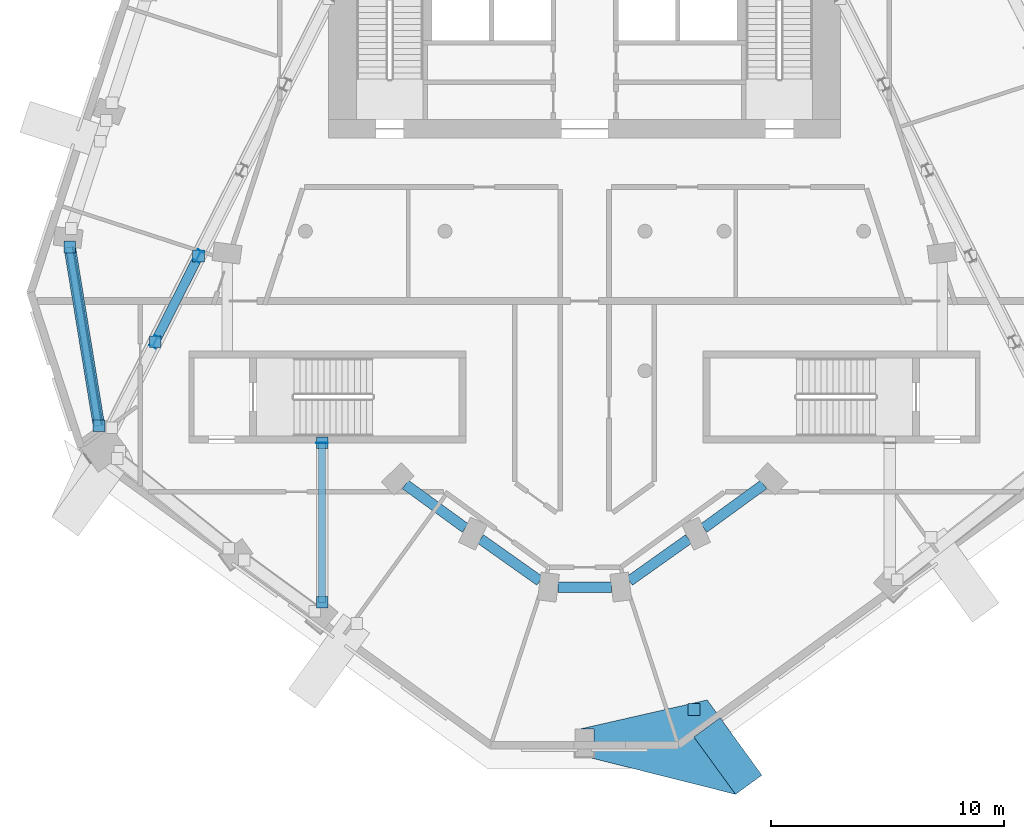
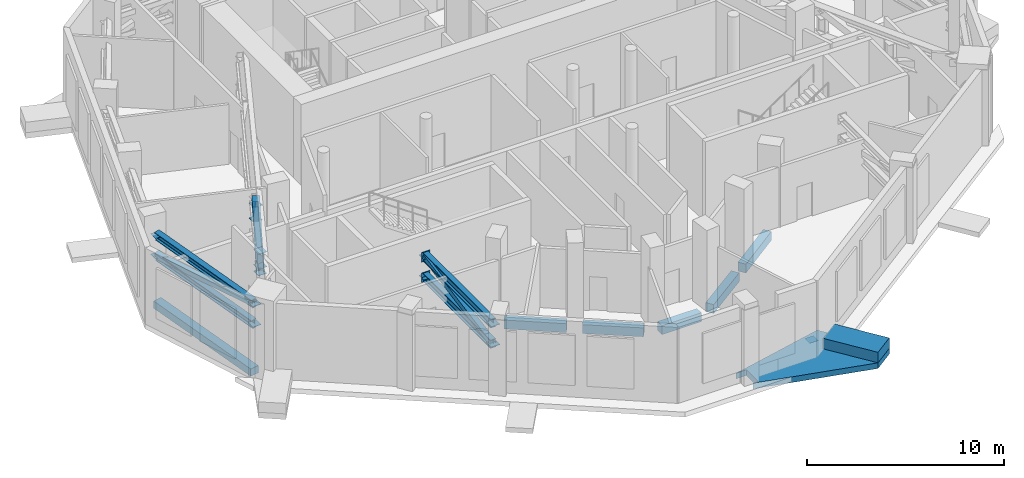
# One storey, part 2 of 16: 16 discrete accessories, 11 members, 6 beams.
"""IFC4 building model written with IfcOpenShell, lengths in metres."""

from ifc_helpers import new_model, si_unit, direction, frame, origin, origin_2d, place, context, subcontext, project, spatial, polyline, rectangle, hollow_rectangle, i_section, outline, extrude, material, layer, layer_set, material_profile, profile_set, type_object, element, aggregate, save


model = new_model("IFC4")

# Units and contexts
model_context = context("Model", 3, precision=1e-05, world=origin(), true_north=direction((0.0, 1.0)))
body_context = subcontext(model_context, "Body", "Model", "MODEL_VIEW")
ifc_project = project(units=[si_unit("LENGTHUNIT", "METRE"), si_unit("AREAUNIT", "SQUARE_METRE"), si_unit("VOLUMEUNIT", "CUBIC_METRE"), si_unit("PLANEANGLEUNIT", "RADIAN"), si_unit("MASSUNIT", "GRAM", prefix="KILO")], contexts=[model_context])

# Site, building, storey
site_placement = place(None, origin())
site = spatial("IfcSite", under=ifc_project, at=site_placement, CompositionType="ELEMENT")
building_placement = place(site_placement, origin())
building = spatial("IfcBuilding", under=site, at=building_placement, Name="White Candle Pilgrim Tower", CompositionType="ELEMENT")
storey_placement = place(building_placement, frame((0.0, 0.0, 243.300048828125)))
storey = spatial("IfcBuildingStorey", under=building, at=storey_placement, Name="L57", CompositionType="ELEMENT", Elevation=243.300048828125)

# Member
ifc_material_1 = material(Name="Steel S355", Category="steel")
ifc_material_profile_1 = material_profile(ifc_material_1, i_section(OverallWidth=0.305908203125, OverallDepth=0.52392578125, WebThickness=0.02099609375, FlangeThickness=0.0400390625, FilletRadius=0.027099609375, at=origin_2d()), Name="HEM 500")
ifc_profile_set_1 = profile_set([ifc_material_profile_1], Name="Steel S355")
member_type_1 = type_object("IfcMemberType", Name="Belt truss chord HEM 500 S355", PredefinedType="CHORD", material=ifc_profile_set_1)
member_1_placement = place(storey_placement, frame((58.719970703125, 51.046142578125, 2.411865234375), z_axis=(0.0, 1.0, 0.0), x_axis=(1.0, 0.0, 0.0)))
member_1 = element("IfcMember", 1, at=member_1_placement, inside=storey, type_object=member_type_1, Name="L57 belt truss bottom chord 03", PredefinedType="CHORD", context=body_context, shape_type="SweptSolid", body=[
    extrude(i_section(OverallWidth=0.305908203125, OverallDepth=0.52392578125, WebThickness=0.02099609375, FlangeThickness=0.0400390625, FilletRadius=0.027099609375, at=origin_2d()), origin(), (0.0, 0.0, 1.0), 6.853759765625),
])

member_2_placement = place(storey_placement, frame((58.719970703125, 51.046142578125, 3.677978515625), z_axis=(0.0, 1.0, 0.0), x_axis=(1.0, 0.0, 0.0)))
member_2 = element("IfcMember", 2, at=member_2_placement, inside=storey, type_object=member_type_1, Name="L57 belt truss top chord 03", PredefinedType="CHORD", context=body_context, shape_type="SweptSolid", body=[
    extrude(i_section(OverallWidth=0.305908203125, OverallDepth=0.52392578125, WebThickness=0.02099609375, FlangeThickness=0.0400390625, FilletRadius=0.027099609375, at=origin_2d()), origin(), (0.0, 0.0, 1.0), 6.853759765625),
])

member_3_placement = place(storey_placement, frame((47.8671875, 66.318603515625, 2.411865234375), z_axis=(0.161556298314, -0.986863497387, 0.0), x_axis=(0.973901320546, 0.159434301387, 0.161545415844)))
member_3 = element("IfcMember", 3, at=member_3_placement, inside=storey, type_object=member_type_1, Name="L57 belt truss bottom chord 15", PredefinedType="CHORD", context=body_context, shape_type="SweptSolid", body=[
    extrude(i_section(OverallWidth=0.305908203125, OverallDepth=0.52392578125, WebThickness=0.02099609375, FlangeThickness=0.0400390625, FilletRadius=0.027099609375, at=origin_2d()), origin(), (0.0, 0.0, 1.0), 7.787109375),
])

member_4_placement = place(storey_placement, frame((47.8671875, 66.318603515625, 3.677978515625), z_axis=(0.161556298314, -0.986863497387, 0.0), x_axis=(0.973901320546, 0.159434301387, 0.161545415844)))
member_4 = element("IfcMember", 4, at=member_4_placement, inside=storey, type_object=member_type_1, Name="L57 belt truss top chord 15", PredefinedType="CHORD", context=body_context, shape_type="SweptSolid", body=[
    extrude(i_section(OverallWidth=0.305908203125, OverallDepth=0.52392578125, WebThickness=0.02099609375, FlangeThickness=0.0400390625, FilletRadius=0.027099609375, at=origin_2d()), origin(), (0.0, 0.0, 1.0), 7.787109375),
])

# Members
ifc_material_profile_2 = material_profile(ifc_material_1, hollow_rectangle(XDim=0.300048828125, YDim=0.300048828125, WallThickness=0.01611328125, at=origin_2d()), Name="SHS 300x300x16")
ifc_profile_set_2 = profile_set([ifc_material_profile_2], Name="Steel S355")
member_type_2 = type_object("IfcMemberType", Name="Belt truss diagonal SHS 300x300x16 S355", PredefinedType="BRACE", material=ifc_profile_set_2)
member_5_placement = place(storey_placement, frame((58.719970703125, 51.046142578125, 2.411865234375), z_axis=(0.0, 0.983361584962, 0.181659002587), x_axis=(-1.0, 0.0, 0.0)))
element("IfcMember", 5, at=member_5_placement, inside=storey, type_object=member_type_2, Name="L57 belt truss diagonal 03", PredefinedType="BRACE", context=body_context, shape_type="SweptSolid", body=[
    extrude(hollow_rectangle(XDim=0.300048828125, YDim=0.300048828125, WallThickness=0.01611328125, at=origin_2d()), origin(), (0.0, 0.0, 1.0), 6.9697265625),
])
member_6_placement = place(storey_placement, frame((47.8671875, 66.318603515625, 2.411865234375), z_axis=(0.159462290291, -0.974072290219, 0.160483492616), x_axis=(0.986863497387, 0.161556298314, 0.0)))
element("IfcMember", 6, at=member_6_placement, inside=storey, type_object=member_type_2, Name="L57 belt truss diagonal 15", PredefinedType="BRACE", context=body_context, shape_type="SweptSolid", body=[
    extrude(hollow_rectangle(XDim=0.300048828125, YDim=0.300048828125, WallThickness=0.01611328125, at=origin_2d()), origin(), (0.0, 0.0, 1.0), 7.889404296875),
])

# Member
ifc_material_profile_3 = material_profile(ifc_material_1, hollow_rectangle(XDim=0.39990234375, YDim=0.39990234375, WallThickness=0.02001953125, at=origin_2d()), Name="SHS 400x400x20")
ifc_profile_set_3 = profile_set([ifc_material_profile_3], Name="Steel S355")
member_type_3 = type_object("IfcMemberType", Name="L44 outrigger 1 diagonal SHS 400x400x20 S355", PredefinedType="BRACE", material=ifc_profile_set_3)
member_7_placement = place(storey_placement, frame((53.405517578125, 65.931640625, 4.29296875), z_axis=(-0.41594195256, -0.822845239834, -0.387192462974), x_axis=(0.892457927799, -0.451130631978, 0.0)))
member_7 = element("IfcMember", 7, at=member_7_placement, inside=storey, type_object=member_type_3, Name="L57 outrigger 1 diagonal 4", PredefinedType="BRACE", context=body_context, shape_type="SweptSolid", body=[
    extrude(hollow_rectangle(XDim=0.39990234375, YDim=0.39990234375, WallThickness=0.02001953125, at=origin_2d()), origin(), (0.0, 0.0, 1.0), 4.48388671875),
])

ifc_material_profile_4 = material_profile(ifc_material_1, i_section(OverallWidth=0.300048828125, OverallDepth=0.5, WebThickness=0.014404296875, FlangeThickness=0.028076171875, FilletRadius=0.027099609375, at=origin_2d()), Name="HEB 500")
ifc_profile_set_4 = profile_set([ifc_material_profile_4], Name="Steel S355")
member_type_4 = type_object("IfcMemberType", Name="L44 outrigger 1 post HEB 500 S355", PredefinedType="POST", material=ifc_profile_set_4)
member_8_placement = place(storey_placement, frame((53.405517578125, 65.931640625, 2.9638671875), z_axis=(0.0, 0.0, 1.0), x_axis=(0.892471934109, -0.451102922655, 0.0)))
member_8 = element("IfcMember", 8, at=member_8_placement, inside=storey, type_object=member_type_4, Name="L57 outrigger 1 post 3", PredefinedType="POST", context=body_context, shape_type="SweptSolid", body=[
    extrude(i_section(OverallWidth=0.300048828125, OverallDepth=0.5, WebThickness=0.014404296875, FlangeThickness=0.028076171875, FilletRadius=0.027099609375, at=origin_2d()), origin(), (0.0, 0.0, 1.0), 0.922119140625),
])

member_9_placement = place(storey_placement, frame((51.54052734375, 62.2421875, 2.9638671875), z_axis=(0.0, 0.0, 1.0), x_axis=(0.892471934109, -0.451102922655, 0.0)))
member_9 = element("IfcMember", 9, at=member_9_placement, inside=storey, type_object=member_type_4, Name="L57 outrigger 1 post 4", PredefinedType="POST", context=body_context, shape_type="SweptSolid", body=[
    extrude(i_section(OverallWidth=0.300048828125, OverallDepth=0.5, WebThickness=0.014404296875, FlangeThickness=0.028076171875, FilletRadius=0.027099609375, at=origin_2d()), origin(), (0.0, 0.0, 1.0), 0.922119140625),
])

ifc_material_2 = material(Name="Concrete C70/85, white", Category="concrete")
ifc_layer_1 = layer(ifc_material_2, 0.300048828125)
ifc_layer_set_1 = layer_set([ifc_layer_1], Name="Node tie strut 4000x1400x300 C70/85")
member_type_5 = type_object("IfcMemberType", Name="Node tie strut 4000x1400x300 C70/85", PredefinedType="STRUT", material=ifc_layer_set_1)
member_10_placement = place(storey_placement, frame((0.0, 0.0, -0.35009765625)))
member_10 = element("IfcMember", 10, at=member_10_placement, inside=storey, type_object=member_type_5, Name="Node tie strut NC196", PredefinedType="STRUT", context=body_context, shape_type="SweptSolid", body=[
    extrude(outline(polyline([(76.49169921875, 42.789794921875), (77.62451171875, 43.61279296875), (75.273193359375, 46.848876953125), (69.8017578125, 45.60009765625), (70.39990234375, 45.60009765625), (70.39990234375, 44.39990234375), (70.095703125, 44.39990234375), (76.49169921875, 42.789794921875)])), origin(), (0.0, 0.0, 1.0), 0.35009765625),
])

member_11_placement = place(storey_placement, origin())
element("IfcMember", 11, at=member_11_placement, inside=storey, type_object=member_type_5, Name="Node tie strut NC196", PredefinedType="STRUT", context=body_context, shape_type="SweptSolid", body=[
    extrude(outline(polyline([(76.49169921875, 42.789794921875), (77.62451171875, 43.61279296875), (75.83154296875, 46.080322265625), (74.698974609375, 45.25732421875), (76.49169921875, 42.789794921875)])), origin(), (0.0, 0.0, 1.0), 0.64990234375),
])

# Beams
ifc_material_3 = material(Name="Concrete C50/60", Category="concrete")
ifc_material_profile_5 = material_profile(ifc_material_3, rectangle(XDim=0.449951171875, YDim=0.550048828125, at=origin_2d()), Name="RC-BM 450x550")
ifc_profile_set_5 = profile_set([ifc_material_profile_5], Name="Concrete C50/60")
beam_type_1 = type_object("IfcBeamType", Name="Ring beam RC-BM 450x550 C50/60", PredefinedType="BEAM", material=ifc_profile_set_5)
beam_1_placement = place(storey_placement, frame((62.298828125, 56.11083984375, -0.574951171875), z_axis=(0.808609951168, -0.588345091653, 0.0), x_axis=(0.588345091653, 0.808609951168, 0.0)))
element("IfcBeam", 12, at=beam_1_placement, inside=storey, type_object=beam_type_1, Name="L57 ring beam R01", PredefinedType="BEAM", context=body_context, shape_type="SweptSolid", body=[
    extrude(rectangle(XDim=0.449951171875, YDim=0.550048828125, at=origin_2d()), origin(), (0.0, 0.0, 1.0), 3.18115234375),
])
beam_2_placement = place(storey_placement, frame((65.53125, 53.765625, -0.574951171875), z_axis=(0.816256463166, -0.577689697277, 0.0), x_axis=(0.577689697277, 0.816256463166, 0.0)))
element("IfcBeam", 13, at=beam_2_placement, inside=storey, type_object=beam_type_1, Name="L57 ring beam R02", PredefinedType="BEAM", context=body_context, shape_type="SweptSolid", body=[
    extrude(rectangle(XDim=0.449951171875, YDim=0.550048828125, at=origin_2d()), origin(), (0.0, 0.0, 1.0), 3.122314453125),
])
beam_3_placement = place(storey_placement, frame((68.853271484375, 51.699951171875, -0.574951171875), z_axis=(1.0, 0.0, 0.0), x_axis=(0.0, 1.0, 0.0)))
element("IfcBeam", 14, at=beam_3_placement, inside=storey, type_object=beam_type_1, Name="L57 ring beam R03", PredefinedType="BEAM", context=body_context, shape_type="SweptSolid", body=[
    extrude(rectangle(XDim=0.449951171875, YDim=0.550048828125, at=origin_2d()), origin(), (0.0, 0.0, 1.0), 2.303466796875),
])
beam_4_placement = place(storey_placement, frame((71.929931640625, 51.962646484375, -0.574951171875), z_axis=(0.815419993855, 0.578869789868, 0.0), x_axis=(-0.578869789868, 0.815419993855, 0.0)))
element("IfcBeam", 15, at=beam_4_placement, inside=storey, type_object=beam_type_1, Name="L57 ring beam R04", PredefinedType="BEAM", context=body_context, shape_type="SweptSolid", body=[
    extrude(rectangle(XDim=0.449951171875, YDim=0.550048828125, at=origin_2d()), origin(), (0.0, 0.0, 1.0), 3.11376953125),
])
beam_5_placement = place(storey_placement, frame((75.12890625, 54.2392578125, -0.574951171875), z_axis=(0.808609951168, 0.588345091653, 0.0), x_axis=(-0.588345091653, 0.808609951168, 0.0)))
element("IfcBeam", 16, at=beam_5_placement, inside=storey, type_object=beam_type_1, Name="L57 ring beam R05", PredefinedType="BEAM", context=body_context, shape_type="SweptSolid", body=[
    extrude(rectangle(XDim=0.449951171875, YDim=0.550048828125, at=origin_2d()), origin(), (0.0, 0.0, 1.0), 3.18115234375),
])
ifc_material_profile_6 = material_profile(ifc_material_3, rectangle(XDim=0.5, YDim=0.449951171875, at=origin_2d()), Name="RC-BM 500x450")
ifc_profile_set_6 = profile_set([ifc_material_profile_6], Name="Concrete C50/60")
beam_type_2 = type_object("IfcBeamType", Name="Spandrel beam RC-BM 500x450 C50/60", PredefinedType="BEAM", material=ifc_profile_set_6)
beam_6_placement = place(storey_placement, frame((47.8671875, 66.318603515625, -0.525146484375), z_axis=(0.161556298314, -0.986863497387, 0.0), x_axis=(0.986863497387, 0.161556298314, 0.0)))
element("IfcBeam", 17, at=beam_6_placement, inside=storey, type_object=beam_type_2, Name="L57 spandrel beam T15", PredefinedType="BEAM", context=body_context, shape_type="SweptSolid", body=[
    extrude(rectangle(XDim=0.5, YDim=0.449951171875, at=origin_2d()), origin(), (0.0, 0.0, 1.0), 7.787109375),
])

# Discrete accessory
ifc_layer_2 = layer(ifc_material_1, 0.030029296875)
ifc_layer_set_2 = layer_set([ifc_layer_2], Name="Cast-in plate 500x600x30 S355")
discrete_accessory_type_1 = type_object("IfcDiscreteAccessoryType", Name="Cast-in plate 500x600x30 S355", PredefinedType="ANCHORPLATE", material=ifc_layer_set_2)
discrete_accessory_1_placement = place(storey_placement, frame((58.719970703125, 57.89990234375, 2.11181640625), z_axis=(0.0, 0.0, 1.0), x_axis=(0.0, -1.0, 0.0)))
discrete_accessory_1 = element("IfcDiscreteAccessory", 18, at=discrete_accessory_1_placement, type_object=discrete_accessory_type_1, Name="Cast-in plate 0025", PredefinedType="ANCHORPLATE", context=body_context, shape_type="SweptSolid", body=[
    extrude(rectangle(XDim=0.030029296875, YDim=0.5, at=origin_2d()), origin(), (0.0, 0.0, 1.0), 0.60009765625),
])

discrete_accessory_2_placement = place(storey_placement, frame((58.719970703125, 57.89990234375, 3.3779296875), z_axis=(0.0, 0.0, 1.0), x_axis=(0.0, -1.0, 0.0)))
discrete_accessory_2 = element("IfcDiscreteAccessory", 19, at=discrete_accessory_2_placement, type_object=discrete_accessory_type_1, Name="Cast-in plate 0026", PredefinedType="ANCHORPLATE", context=body_context, shape_type="SweptSolid", body=[
    extrude(rectangle(XDim=0.030029296875, YDim=0.5, at=origin_2d()), origin(), (0.0, 0.0, 1.0), 0.60009765625),
])

ifc_layer_3 = layer(ifc_material_1, 0.02490234375)
ifc_layer_set_3 = layer_set([ifc_layer_3], Name="Gusset plate 500x500x25 S355")
discrete_accessory_type_2 = type_object("IfcDiscreteAccessoryType", Name="Gusset plate 500x500x25 S355", PredefinedType="BRACKET", material=ifc_layer_set_3)
discrete_accessory_3_placement = place(storey_placement, frame((74.706787109375, 46.437255859375, -0.16259765625), z_axis=(0.0, 0.0, 1.0), x_axis=(1.0, 0.0, 0.0)))
discrete_accessory_3 = element("IfcDiscreteAccessory", 20, at=discrete_accessory_3_placement, type_object=discrete_accessory_type_2, Name="Gusset plate 0577", PredefinedType="BRACKET", context=body_context, shape_type="SweptSolid", body=[
    extrude(rectangle(XDim=0.5, YDim=0.5, at=origin_2d()), origin(), (0.0, 0.0, 1.0), 0.02490234375),
])

aggregate(member_10, [discrete_accessory_3])

discrete_accessory_4_placement = place(storey_placement, frame((58.719970703125, 51.046142578125, 2.3994140625), z_axis=(0.0, 0.0, 1.0), x_axis=(1.0, 0.0, 0.0)))
discrete_accessory_4 = element("IfcDiscreteAccessory", 21, at=discrete_accessory_4_placement, type_object=discrete_accessory_type_2, Name="Gusset plate 0846", PredefinedType="BRACKET", context=body_context, shape_type="SweptSolid", body=[
    extrude(rectangle(XDim=0.5, YDim=0.5, at=origin_2d()), origin(), (0.0, 0.0, 1.0), 0.02490234375),
])

discrete_accessory_5_placement = place(storey_placement, frame((58.719970703125, 57.89990234375, 2.3994140625), z_axis=(0.0, 0.0, 1.0), x_axis=(1.0, 0.0, 0.0)))
discrete_accessory_5 = element("IfcDiscreteAccessory", 22, at=discrete_accessory_5_placement, type_object=discrete_accessory_type_2, Name="Gusset plate 0847", PredefinedType="BRACKET", context=body_context, shape_type="SweptSolid", body=[
    extrude(rectangle(XDim=0.5, YDim=0.5, at=origin_2d()), origin(), (0.0, 0.0, 1.0), 0.02490234375),
])

aggregate(member_1, [discrete_accessory_4, discrete_accessory_5, discrete_accessory_1])

discrete_accessory_6_placement = place(storey_placement, frame((58.719970703125, 51.046142578125, 3.66552734375), z_axis=(0.0, 0.0, 1.0), x_axis=(1.0, 0.0, 0.0)))
discrete_accessory_6 = element("IfcDiscreteAccessory", 23, at=discrete_accessory_6_placement, type_object=discrete_accessory_type_2, Name="Gusset plate 0848", PredefinedType="BRACKET", context=body_context, shape_type="SweptSolid", body=[
    extrude(rectangle(XDim=0.5, YDim=0.5, at=origin_2d()), origin(), (0.0, 0.0, 1.0), 0.02490234375),
])

discrete_accessory_7_placement = place(storey_placement, frame((58.719970703125, 57.89990234375, 3.66552734375), z_axis=(0.0, 0.0, 1.0), x_axis=(1.0, 0.0, 0.0)))
discrete_accessory_7 = element("IfcDiscreteAccessory", 24, at=discrete_accessory_7_placement, type_object=discrete_accessory_type_2, Name="Gusset plate 0849", PredefinedType="BRACKET", context=body_context, shape_type="SweptSolid", body=[
    extrude(rectangle(XDim=0.5, YDim=0.5, at=origin_2d()), origin(), (0.0, 0.0, 1.0), 0.02490234375),
])

aggregate(member_2, [discrete_accessory_6, discrete_accessory_7, discrete_accessory_2])

discrete_accessory_8_placement = place(storey_placement, frame((47.8671875, 66.318603515625, 2.3994140625), z_axis=(0.0, 0.0, 1.0), x_axis=(1.0, 0.0, 0.0)))
discrete_accessory_8 = element("IfcDiscreteAccessory", 25, at=discrete_accessory_8_placement, type_object=discrete_accessory_type_2, Name="Gusset plate 0894", PredefinedType="BRACKET", context=body_context, shape_type="SweptSolid", body=[
    extrude(rectangle(XDim=0.5, YDim=0.5, at=origin_2d()), origin(), (0.0, 0.0, 1.0), 0.02490234375),
])

discrete_accessory_9_placement = place(storey_placement, frame((49.125244140625, 58.6337890625, 2.3994140625), z_axis=(0.0, 0.0, 1.0), x_axis=(1.0, 0.0, 0.0)))
discrete_accessory_9 = element("IfcDiscreteAccessory", 26, at=discrete_accessory_9_placement, type_object=discrete_accessory_type_2, Name="Gusset plate 0895", PredefinedType="BRACKET", context=body_context, shape_type="SweptSolid", body=[
    extrude(rectangle(XDim=0.5, YDim=0.5, at=origin_2d()), origin(), (0.0, 0.0, 1.0), 0.02490234375),
])

aggregate(member_3, [discrete_accessory_8, discrete_accessory_9])

discrete_accessory_10_placement = place(storey_placement, frame((47.8671875, 66.318603515625, 3.66552734375), z_axis=(0.0, 0.0, 1.0), x_axis=(1.0, 0.0, 0.0)))
discrete_accessory_10 = element("IfcDiscreteAccessory", 27, at=discrete_accessory_10_placement, type_object=discrete_accessory_type_2, Name="Gusset plate 0896", PredefinedType="BRACKET", context=body_context, shape_type="SweptSolid", body=[
    extrude(rectangle(XDim=0.5, YDim=0.5, at=origin_2d()), origin(), (0.0, 0.0, 1.0), 0.02490234375),
])

discrete_accessory_11_placement = place(storey_placement, frame((49.125244140625, 58.6337890625, 3.66552734375), z_axis=(0.0, 0.0, 1.0), x_axis=(1.0, 0.0, 0.0)))
discrete_accessory_11 = element("IfcDiscreteAccessory", 28, at=discrete_accessory_11_placement, type_object=discrete_accessory_type_2, Name="Gusset plate 0897", PredefinedType="BRACKET", context=body_context, shape_type="SweptSolid", body=[
    extrude(rectangle(XDim=0.5, YDim=0.5, at=origin_2d()), origin(), (0.0, 0.0, 1.0), 0.02490234375),
])

aggregate(member_4, [discrete_accessory_10, discrete_accessory_11])

discrete_accessory_12_placement = place(storey_placement, frame((51.54052734375, 62.2421875, 2.54443359375), z_axis=(0.0, 0.0, 1.0), x_axis=(1.0, 0.0, 0.0)))
discrete_accessory_12 = element("IfcDiscreteAccessory", 29, at=discrete_accessory_12_placement, type_object=discrete_accessory_type_2, Name="Gusset plate 0991", PredefinedType="BRACKET", context=body_context, shape_type="SweptSolid", body=[
    extrude(rectangle(XDim=0.5, YDim=0.5, at=origin_2d()), origin(), (0.0, 0.0, 1.0), 0.02490234375),
])

aggregate(member_7, [discrete_accessory_12])

discrete_accessory_13_placement = place(storey_placement, frame((53.405517578125, 65.931640625, 2.951416015625), z_axis=(0.0, 0.0, 1.0), x_axis=(1.0, 0.0, 0.0)))
discrete_accessory_13 = element("IfcDiscreteAccessory", 30, at=discrete_accessory_13_placement, type_object=discrete_accessory_type_2, Name="Gusset plate 0996", PredefinedType="BRACKET", context=body_context, shape_type="SweptSolid", body=[
    extrude(rectangle(XDim=0.5, YDim=0.5, at=origin_2d()), origin(), (0.0, 0.0, 1.0), 0.02490234375),
])

discrete_accessory_14_placement = place(storey_placement, frame((53.405517578125, 65.931640625, 3.87353515625), z_axis=(0.0, 0.0, 1.0), x_axis=(1.0, 0.0, 0.0)))
discrete_accessory_14 = element("IfcDiscreteAccessory", 31, at=discrete_accessory_14_placement, type_object=discrete_accessory_type_2, Name="Gusset plate 0997", PredefinedType="BRACKET", context=body_context, shape_type="SweptSolid", body=[
    extrude(rectangle(XDim=0.5, YDim=0.5, at=origin_2d()), origin(), (0.0, 0.0, 1.0), 0.02490234375),
])

aggregate(member_8, [discrete_accessory_13, discrete_accessory_14])

discrete_accessory_15_placement = place(storey_placement, frame((51.54052734375, 62.2421875, 2.951416015625), z_axis=(0.0, 0.0, 1.0), x_axis=(1.0, 0.0, 0.0)))
discrete_accessory_15 = element("IfcDiscreteAccessory", 32, at=discrete_accessory_15_placement, type_object=discrete_accessory_type_2, Name="Gusset plate 0998", PredefinedType="BRACKET", context=body_context, shape_type="SweptSolid", body=[
    extrude(rectangle(XDim=0.5, YDim=0.5, at=origin_2d()), origin(), (0.0, 0.0, 1.0), 0.02490234375),
])

discrete_accessory_16_placement = place(storey_placement, frame((51.54052734375, 62.2421875, 3.87353515625), z_axis=(0.0, 0.0, 1.0), x_axis=(1.0, 0.0, 0.0)))
discrete_accessory_16 = element("IfcDiscreteAccessory", 33, at=discrete_accessory_16_placement, type_object=discrete_accessory_type_2, Name="Gusset plate 0999", PredefinedType="BRACKET", context=body_context, shape_type="SweptSolid", body=[
    extrude(rectangle(XDim=0.5, YDim=0.5, at=origin_2d()), origin(), (0.0, 0.0, 1.0), 0.02490234375),
])

aggregate(member_9, [discrete_accessory_15, discrete_accessory_16])

save(model, "model.ifc")
